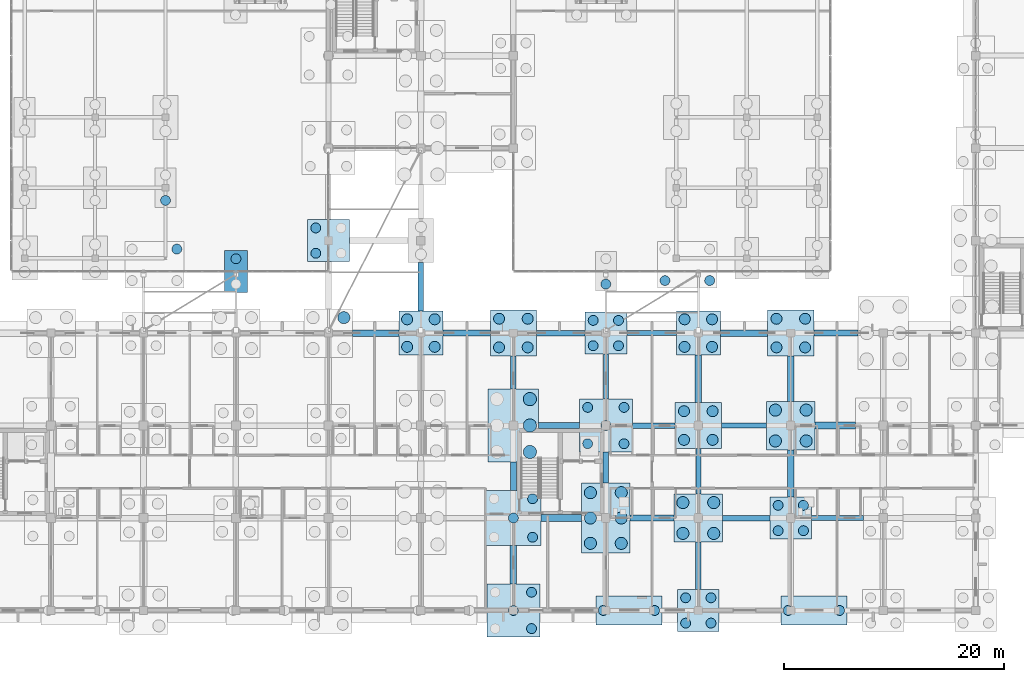
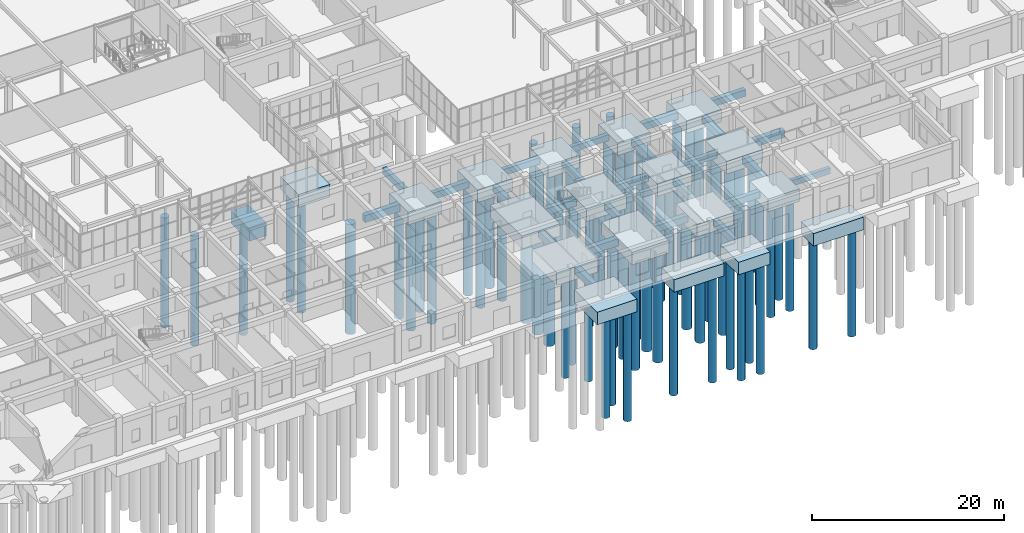
# One storey, part 5 of 192: 73 piles, 44 footings.
"""IFC4 building model written with IfcOpenShell, lengths in metres."""

from ifc_helpers import new_model, si_unit, direction, frame, origin, origin_2d, place, context, subcontext, project, spatial, rectangle, circle, extrude, material, layer, layer_set, material_profile, profile_set, type_object, element, save


model = new_model("IFC4")

# Units and contexts
model_context = context("Model", 3, precision=1e-05, world=origin(), true_north=direction((0.0, 1.0)))
body_context = subcontext(model_context, "Body", "Model", "MODEL_VIEW")
ifc_project = project(units=[si_unit("LENGTHUNIT", "METRE"), si_unit("AREAUNIT", "SQUARE_METRE"), si_unit("VOLUMEUNIT", "CUBIC_METRE"), si_unit("PLANEANGLEUNIT", "RADIAN"), si_unit("MASSUNIT", "GRAM", prefix="KILO")], contexts=[model_context])

# Site, building, storey
site_placement = place(None, origin())
site = spatial("IfcSite", under=ifc_project, at=site_placement, CompositionType="ELEMENT")
building_placement = place(site_placement, origin())
building = spatial("IfcBuilding", under=site, at=building_placement, Name="Trelvath General Hospital", CompositionType="ELEMENT")
storey_placement = place(building_placement, origin())
storey = spatial("IfcBuildingStorey", under=building, at=storey_placement, Name="L00", CompositionType="ELEMENT", Elevation=0.0)

# Piles
ifc_material_1 = material(Name="Concrete C35/45", Category="concrete")
ifc_material_profile_1 = material_profile(ifc_material_1, circle(Radius=0.5, at=origin_2d()), Name="PILE1000")
ifc_profile_set_1 = profile_set([ifc_material_profile_1], Name="Concrete C35/45")
pile_type_1 = type_object("IfcPileType", Name="BoredPile D1000", PredefinedType="BORED", material=ifc_profile_set_1)
for number, where, z_axis, x_axis, name in (
    (1, (82.75, 23.949951171875, -1.800048828125), (0.0, 0.0, -1.0), (1.0, 0.0, 0.0), "Bored Pile P-0596"),
    (2, (85.25, 23.949951171875, -1.800048828125), (0.0, 0.0, -1.0), (1.0, 0.0, 0.0), "Bored Pile P-0597"),
    (3, (82.75, 26.449951171875, -1.800048828125), (0.0, 0.0, -1.0), (1.0, 0.0, 0.0), "Bored Pile P-0598"),
    (4, (85.25, 26.449951171875, -1.800048828125), (0.0, 0.0, -1.0), (1.0, 0.0, 0.0), "Bored Pile P-0599"),
    (5, (91.10009765625, 23.89990234375, -1.800048828125), (0.0, 0.0, -1.0), (1.0, 0.0, 0.0), "Bored Pile P-0661"),
    (6, (93.699951171875, 23.89990234375, -1.800048828125), (0.0, 0.0, -1.0), (1.0, 0.0, 0.0), "Bored Pile P-0662"),
    (7, (91.10009765625, 26.5, -1.800048828125), (0.0, 0.0, -1.0), (1.0, 0.0, 0.0), "Bored Pile P-0663"),
    (8, (93.699951171875, 26.5, -1.800048828125), (0.0, 0.0, -1.0), (1.0, 0.0, 0.0), "Bored Pile P-0664"),
    (9, (107.89990234375, 15.5, -1.800048828125), (0.0, 0.0, -1.0), (1.0, 0.0, 0.0), "Bored Pile P-0770"),
    (10, (110.5, 15.5, -1.800048828125), (0.0, 0.0, -1.0), (1.0, 0.0, 0.0), "Bored Pile P-0771"),
    (11, (107.89990234375, 18.10009765625, -1.800048828125), (0.0, 0.0, -1.0), (1.0, 0.0, 0.0), "Bored Pile P-0772"),
    (12, (110.5, 18.10009765625, -1.800048828125), (0.0, 0.0, -1.0), (1.0, 0.0, 0.0), "Bored Pile P-0773"),
    (13, (107.949951171875, 23.949951171875, -1.800048828125), (0.0, 0.0, -1.0), (1.0, 0.0, 0.0), "Bored Pile P-0774"),
    (14, (110.449951171875, 23.949951171875, -1.800048828125), (0.0, 0.0, -1.0), (1.0, 0.0, 0.0), "Bored Pile P-0775"),
    (15, (107.949951171875, 26.449951171875, -1.800048828125), (0.0, 0.0, -1.0), (1.0, 0.0, 0.0), "Bored Pile P-0776"),
    (16, (110.449951171875, 26.449951171875, -1.800048828125), (0.0, 0.0, -1.0), (1.0, 0.0, 0.0), "Bored Pile P-0777"),
    (17, (116.300048828125, 23.89990234375, -1.800048828125), (0.0, 0.0, -1.0), (1.0, 0.0, 0.0), "Bored Pile P-0818"),
    (18, (118.89990234375, 23.89990234375, -1.800048828125), (0.0, 0.0, -1.0), (1.0, 0.0, 0.0), "Bored Pile P-0819"),
    (19, (116.300048828125, 26.5, -1.800048828125), (0.0, 0.0, -1.0), (1.0, 0.0, 0.0), "Bored Pile P-0820"),
    (20, (118.89990234375, 26.5, -1.800048828125), (0.0, 0.0, -1.0), (1.0, 0.0, 0.0), "Bored Pile P-0821"),
):
    element("IfcPile", number, at=place(storey_placement, frame(where, z_axis=z_axis, x_axis=x_axis)), inside=storey, type_object=pile_type_1, Name=name, PredefinedType="BORED", context=body_context, shape_type="SweptSolid", body=[
        extrude(circle(Radius=0.5, at=origin_2d()), origin(), (0.0, 0.0, 1.0), 14.0),
    ])
ifc_material_2 = material(Name="Concrete C35/45", Category="concrete")
ifc_material_profile_2 = material_profile(ifc_material_2, circle(Radius=0.550048828125, at=origin_2d()), Name="PILE1100")
ifc_profile_set_2 = profile_set([ifc_material_profile_2], Name="Concrete C35/45")
pile_type_2 = type_object("IfcPileType", Name="BoredPile D1100", PredefinedType="BORED", material=ifc_profile_set_2)
for number, where, z_axis, x_axis, name in (
    (21, (77.0, 26.60009765625, -1.800048828125), (0.0, 0.0, -1.0), (1.0, 0.0, 0.0), "Bored Pile P-0535"),
    (22, (99.39990234375, 6.10009765625, -1.800048828125), (0.0, 0.0, -1.0), (1.0, 0.0, 0.0), "Bored Pile P-0707"),
    (23, (102.199951171875, 6.10009765625, -1.800048828125), (0.0, 0.0, -1.0), (1.0, 0.0, 0.0), "Bored Pile P-0708"),
    (24, (99.39990234375, 8.39990234375, -1.800048828125), (0.0, 0.0, -1.0), (1.0, 0.0, 0.0), "Bored Pile P-0709"),
    (25, (102.199951171875, 8.39990234375, -1.800048828125), (0.0, 0.0, -1.0), (1.0, 0.0, 0.0), "Bored Pile P-0710"),
    (26, (99.39990234375, 10.699951171875, -1.800048828125), (0.0, 0.0, -1.0), (1.0, 0.0, 0.0), "Bored Pile P-0711"),
    (27, (102.199951171875, 10.699951171875, -1.800048828125), (0.0, 0.0, -1.0), (1.0, 0.0, 0.0), "Bored Pile P-0712"),
    (28, (107.800048828125, 7.0, -1.800048828125), (0.0, 0.0, -1.0), (1.0, 0.0, 0.0), "Bored Pile P-0766"),
    (29, (110.60009765625, 7.0, -1.800048828125), (0.0, 0.0, -1.0), (1.0, 0.0, 0.0), "Bored Pile P-0767"),
    (30, (107.800048828125, 9.800048828125, -1.800048828125), (0.0, 0.0, -1.0), (1.0, 0.0, 0.0), "Bored Pile P-0768"),
    (31, (110.60009765625, 9.800048828125, -1.800048828125), (0.0, 0.0, -1.0), (1.0, 0.0, 0.0), "Bored Pile P-0769"),
    (32, (116.199951171875, 15.39990234375, -1.800048828125), (0.0, 0.0, -1.0), (1.0, 0.0, 0.0), "Bored Pile P-0814"),
    (33, (119.0, 15.39990234375, -1.800048828125), (0.0, 0.0, -1.0), (1.0, 0.0, 0.0), "Bored Pile P-0815"),
    (34, (116.199951171875, 18.199951171875, -1.800048828125), (0.0, 0.0, -1.0), (1.0, 0.0, 0.0), "Bored Pile P-0816"),
    (35, (119.0, 18.199951171875, -1.800048828125), (0.0, 0.0, -1.0), (1.0, 0.0, 0.0), "Bored Pile P-0817"),
):
    element("IfcPile", number, at=place(storey_placement, frame(where, z_axis=z_axis, x_axis=x_axis)), inside=storey, type_object=pile_type_2, Name=name, PredefinedType="BORED", context=body_context, shape_type="SweptSolid", body=[
        extrude(circle(Radius=0.550048828125, at=origin_2d()), origin(), (0.0, 0.0, 1.0), 14.0),
    ])
ifc_material_3 = material(Name="Concrete C35/45", Category="concrete")
ifc_material_profile_3 = material_profile(ifc_material_3, circle(Radius=0.60009765625, at=origin_2d()), Name="PILE1200")
ifc_profile_set_3 = profile_set([ifc_material_profile_3], Name="Concrete C35/45")
pile_type_3 = type_object("IfcPileType", Name="BoredPile D1200", PredefinedType="BORED", material=ifc_profile_set_3)
for number, where, z_axis, x_axis, name in (
    (36, (93.89990234375, 14.39990234375, -1.800048828125), (0.0, 0.0, -1.0), (1.0, 0.0, 0.0), "Bored Pile P-0656"),
    (37, (93.89990234375, 16.800048828125, -1.800048828125), (0.0, 0.0, -1.0), (1.0, 0.0, 0.0), "Bored Pile P-0658"),
    (38, (93.89990234375, 19.199951171875, -1.800048828125), (0.0, 0.0, -1.0), (1.0, 0.0, 0.0), "Bored Pile P-0660"),
):
    element("IfcPile", number, at=place(storey_placement, frame(where, z_axis=z_axis, x_axis=x_axis)), inside=storey, type_object=pile_type_3, Name=name, PredefinedType="BORED", context=body_context, shape_type="SweptSolid", body=[
        extrude(circle(Radius=0.60009765625, at=origin_2d()), origin(), (0.0, 0.0, 1.0), 14.0),
    ])
ifc_material_4 = material(Name="Concrete C35/45", Category="concrete")
ifc_material_profile_4 = material_profile(ifc_material_4, circle(Radius=0.449951171875, at=origin_2d()), Name="PILE900")
ifc_profile_set_4 = profile_set([ifc_material_profile_4], Name="Concrete C35/45")
pile_type_4 = type_object("IfcPileType", Name="BoredPile D900", PredefinedType="BORED", material=ifc_profile_set_4)
for number, where, z_axis, x_axis, name in (
    (39, (61.830078125, 32.830078125, -1.800048828125), (0.0, 0.0, -1.0), (1.0, 0.0, 0.0), "Bored Pile P-0447"),
    (40, (60.800048828125, 37.25, -1.800048828125), (0.0, 0.0, -1.0), (1.0, 0.0, 0.0), "Bored Pile P-0468"),
    (41, (67.199951171875, 31.949951171875, -1.800048828125), (0.0, 0.0, -1.0), (1.0, 0.0, 0.0), "Bored Pile P-0497"),
    (42, (74.449951171875, 32.449951171875, -1.800048828125), (0.0, 0.0, -1.0), (1.0, 0.0, 0.0), "Bored Pile P-0536"),
    (43, (74.449951171875, 34.75, -1.800048828125), (0.0, 0.0, -1.0), (1.0, 0.0, 0.0), "Bored Pile P-0538"),
    (44, (94.050048828125, -1.64990234375, -1.800048828125), (0.0, 0.0, -1.0), (1.0, 0.0, 0.0), "Bored Pile P-0646"),
    (45, (92.39990234375, 0.0, -1.800048828125), (0.0, 0.0, -1.0), (1.0, 0.0, 0.0), "Bored Pile P-0647"),
    (46, (94.050048828125, 1.64990234375, -1.800048828125), (0.0, 0.0, -1.0), (1.0, 0.0, 0.0), "Bored Pile P-0649"),
    (47, (94.14990234375, 6.64990234375, -1.800048828125), (0.0, 0.0, -1.0), (1.0, 0.0, 0.0), "Bored Pile P-0651"),
    (48, (92.39990234375, 8.39990234375, -1.800048828125), (0.0, 0.0, -1.0), (1.0, 0.0, 0.0), "Bored Pile P-0652"),
    (49, (94.14990234375, 10.14990234375, -1.800048828125), (0.0, 0.0, -1.0), (1.0, 0.0, 0.0), "Bored Pile P-0654"),
    (50, (100.570068359375, 0.0, -1.800048828125), (0.0, 0.0, -1.0), (1.0, 0.0, 0.0), "Bored Pile P-0705"),
    (51, (105.22998046875, 0.0, -1.800048828125), (0.0, 0.0, -1.0), (1.0, 0.0, 0.0), "Bored Pile P-0706"),
    (52, (99.14990234375, 15.14990234375, -1.800048828125), (0.0, 0.0, -1.0), (1.0, 0.0, 0.0), "Bored Pile P-0713"),
    (53, (102.449951171875, 15.14990234375, -1.800048828125), (0.0, 0.0, -1.0), (1.0, 0.0, 0.0), "Bored Pile P-0714"),
    (54, (100.800048828125, 16.800048828125, -1.800048828125), (0.0, 0.0, -1.0), (1.0, 0.0, 0.0), "Bored Pile P-0715"),
    (55, (99.14990234375, 18.449951171875, -1.800048828125), (0.0, 0.0, -1.0), (1.0, 0.0, 0.0), "Bored Pile P-0716"),
    (56, (102.449951171875, 18.449951171875, -1.800048828125), (0.0, 0.0, -1.0), (1.0, 0.0, 0.0), "Bored Pile P-0717"),
    (57, (99.64990234375, 24.050048828125, -1.800048828125), (0.0, 0.0, -1.0), (1.0, 0.0, 0.0), "Bored Pile P-0718"),
    (58, (101.949951171875, 24.050048828125, -1.800048828125), (0.0, 0.0, -1.0), (1.0, 0.0, 0.0), "Bored Pile P-0719"),
    (59, (99.64990234375, 26.35009765625, -1.800048828125), (0.0, 0.0, -1.0), (1.0, 0.0, 0.0), "Bored Pile P-0720"),
    (60, (101.949951171875, 26.35009765625, -1.800048828125), (0.0, 0.0, -1.0), (1.0, 0.0, 0.0), "Bored Pile P-0721"),
    (61, (100.800048828125, 29.64990234375, -1.800048828125), (0.0, 0.0, -1.0), (1.0, 0.0, 0.0), "Bored Pile P-0722"),
    (62, (106.169921875, 29.969970703125, -1.800048828125), (0.0, 0.0, -1.0), (1.0, 0.0, 0.0), "Bored Pile P-0744"),
    (63, (110.22998046875, 29.969970703125, -1.800048828125), (0.0, 0.0, -1.0), (1.0, 0.0, 0.0), "Bored Pile P-0746"),
    (64, (108.050048828125, -1.14990234375, -1.800048828125), (0.0, 0.0, -1.0), (1.0, 0.0, 0.0), "Bored Pile P-0762"),
    (65, (110.35009765625, -1.14990234375, -1.800048828125), (0.0, 0.0, -1.0), (1.0, 0.0, 0.0), "Bored Pile P-0763"),
    (66, (108.050048828125, 1.14990234375, -1.800048828125), (0.0, 0.0, -1.0), (1.0, 0.0, 0.0), "Bored Pile P-0764"),
    (67, (110.35009765625, 1.14990234375, -1.800048828125), (0.0, 0.0, -1.0), (1.0, 0.0, 0.0), "Bored Pile P-0765"),
    (68, (117.3701171875, 0.0, -1.800048828125), (0.0, 0.0, -1.0), (1.0, 0.0, 0.0), "Bored Pile P-0808"),
    (69, (122.030029296875, 0.0, -1.800048828125), (0.0, 0.0, -1.0), (1.0, 0.0, 0.0), "Bored Pile P-0809"),
    (70, (116.449951171875, 7.25, -1.800048828125), (0.0, 0.0, -1.0), (1.0, 0.0, 0.0), "Bored Pile P-0810"),
    (71, (118.75, 7.25, -1.800048828125), (0.0, 0.0, -1.0), (1.0, 0.0, 0.0), "Bored Pile P-0811"),
    (72, (116.449951171875, 9.550048828125, -1.800048828125), (0.0, 0.0, -1.0), (1.0, 0.0, 0.0), "Bored Pile P-0812"),
    (73, (118.75, 9.550048828125, -1.800048828125), (0.0, 0.0, -1.0), (1.0, 0.0, 0.0), "Bored Pile P-0813"),
):
    element("IfcPile", number, at=place(storey_placement, frame(where, z_axis=z_axis, x_axis=x_axis)), inside=storey, type_object=pile_type_4, Name=name, PredefinedType="BORED", context=body_context, shape_type="SweptSolid", body=[
        extrude(circle(Radius=0.449951171875, at=origin_2d()), origin(), (0.0, 0.0, 1.0), 14.0),
    ])

# Footings
ifc_material_5 = material(Name="Concrete C35/45", Category="concrete")
ifc_layer_1 = layer(ifc_material_5, 1.60009765625)
ifc_layer_set_1 = layer_set([ifc_layer_1], Name="Concrete C35/45")
footing_type_1 = type_object("IfcFootingType", Name="PileCap 2P 210x380", PredefinedType="PILE_CAP", material=ifc_layer_set_1)
footing_1_placement = place(storey_placement, frame((67.199951171875, 30.800048828125, -1.900146484375), z_axis=(0.0, 0.0, 1.0), x_axis=(1.0, 0.0, 0.0)))
element("IfcFooting", 74, at=footing_1_placement, inside=storey, type_object=footing_type_1, Name="Pile Cap PC-134", PredefinedType="PILE_CAP", context=body_context, shape_type="SweptSolid", body=[
    extrude(rectangle(XDim=2.10009765625, YDim=3.800048828125, at=origin_2d()), origin(), (0.0, 0.0, 1.0), 1.60009765625),
])
ifc_material_6 = material(Name="Concrete C35/45", Category="concrete")
ifc_layer_2 = layer(ifc_material_6, 1.60009765625)
ifc_layer_set_2 = layer_set([ifc_layer_2], Name="Concrete C35/45")
footing_type_2 = type_object("IfcFootingType", Name="PileCap 4P 380x380", PredefinedType="PILE_CAP", material=ifc_layer_set_2)
for number, where, z_axis, x_axis, name in (
    (75, (75.60009765625, 33.60009765625, -1.900146484375), (0.0, 0.0, 1.0), (1.0, 0.0, 0.0), "Pile Cap PC-146"),
    (76, (100.800048828125, 25.199951171875, -1.900146484375), (0.0, 0.0, 1.0), (1.0, 0.0, 0.0), "Pile Cap PC-188"),
    (77, (109.199951171875, 0.0, -1.900146484375), (0.0, 0.0, 1.0), (1.0, 0.0, 0.0), "Pile Cap PC-204"),
    (78, (117.60009765625, 8.39990234375, -1.900146484375), (0.0, 0.0, 1.0), (1.0, 0.0, 0.0), "Pile Cap PC-220"),
):
    element("IfcFooting", number, at=place(storey_placement, frame(where, z_axis=z_axis, x_axis=x_axis)), inside=storey, type_object=footing_type_2, Name=name, PredefinedType="PILE_CAP", context=body_context, shape_type="SweptSolid", body=[
        extrude(rectangle(XDim=3.800048828125, YDim=3.800048828125, at=origin_2d()), origin(), (0.0, 0.0, 1.0), 1.60009765625),
    ])
ifc_material_7 = material(Name="Concrete C35/45", Category="concrete")
ifc_layer_3 = layer(ifc_material_7, 1.60009765625)
ifc_layer_set_3 = layer_set([ifc_layer_3], Name="Concrete C35/45")
footing_type_3 = type_object("IfcFootingType", Name="PileCap 4P 400x400", PredefinedType="PILE_CAP", material=ifc_layer_set_3)
for number, where, z_axis, x_axis, name in (
    (79, (84.0, 25.199951171875, -1.900146484375), (0.0, 0.0, 1.0), (1.0, 0.0, 0.0), "Pile Cap PC-159"),
    (80, (109.199951171875, 25.199951171875, -1.900146484375), (0.0, 0.0, 1.0), (1.0, 0.0, 0.0), "Pile Cap PC-207"),
):
    element("IfcFooting", number, at=place(storey_placement, frame(where, z_axis=z_axis, x_axis=x_axis)), inside=storey, type_object=footing_type_3, Name=name, PredefinedType="PILE_CAP", context=body_context, shape_type="SweptSolid", body=[
        extrude(rectangle(XDim=4.0, YDim=4.0, at=origin_2d()), origin(), (0.0, 0.0, 1.0), 1.60009765625),
    ])
ifc_material_8 = material(Name="Concrete C35/45", Category="concrete")
ifc_layer_4 = layer(ifc_material_8, 1.60009765625)
ifc_layer_set_4 = layer_set([ifc_layer_4], Name="Concrete C35/45")
footing_type_4 = type_object("IfcFootingType", Name="PileCap 4P 420x420", PredefinedType="PILE_CAP", material=ifc_layer_set_4)
for number, where, z_axis, x_axis, name in (
    (81, (92.39990234375, 25.199951171875, -1.900146484375), (0.0, 0.0, 1.0), (1.0, 0.0, 0.0), "Pile Cap PC-174"),
    (82, (109.199951171875, 16.800048828125, -1.900146484375), (0.0, 0.0, 1.0), (1.0, 0.0, 0.0), "Pile Cap PC-206"),
    (83, (117.60009765625, 25.199951171875, -1.900146484375), (0.0, 0.0, 1.0), (1.0, 0.0, 0.0), "Pile Cap PC-222"),
):
    element("IfcFooting", number, at=place(storey_placement, frame(where, z_axis=z_axis, x_axis=x_axis)), inside=storey, type_object=footing_type_4, Name=name, PredefinedType="PILE_CAP", context=body_context, shape_type="SweptSolid", body=[
        extrude(rectangle(XDim=4.199951171875, YDim=4.199951171875, at=origin_2d()), origin(), (0.0, 0.0, 1.0), 1.60009765625),
    ])
ifc_material_9 = material(Name="Concrete C35/45", Category="concrete")
ifc_layer_5 = layer(ifc_material_9, 1.60009765625)
ifc_layer_set_5 = layer_set([ifc_layer_5], Name="Concrete C35/45")
footing_type_5 = type_object("IfcFootingType", Name="PileCap 4P 440x440", PredefinedType="PILE_CAP", material=ifc_layer_set_5)
for number, where, z_axis, x_axis, name in (
    (84, (109.199951171875, 8.39990234375, -1.900146484375), (0.0, 0.0, 1.0), (1.0, 0.0, 0.0), "Pile Cap PC-205"),
    (85, (117.60009765625, 16.800048828125, -1.900146484375), (0.0, 0.0, 1.0), (1.0, 0.0, 0.0), "Pile Cap PC-221"),
):
    element("IfcFooting", number, at=place(storey_placement, frame(where, z_axis=z_axis, x_axis=x_axis)), inside=storey, type_object=footing_type_5, Name=name, PredefinedType="PILE_CAP", context=body_context, shape_type="SweptSolid", body=[
        extrude(rectangle(XDim=4.39990234375, YDim=4.39990234375, at=origin_2d()), origin(), (0.0, 0.0, 1.0), 1.60009765625),
    ])
ifc_material_10 = material(Name="Concrete C35/45", Category="concrete")
ifc_layer_6 = layer(ifc_material_10, 1.60009765625)
ifc_layer_set_6 = layer_set([ifc_layer_6], Name="Concrete C35/45")
footing_type_6 = type_object("IfcFootingType", Name="PileCap 5P 480x480", PredefinedType="PILE_CAP", material=ifc_layer_set_6)
for number, where, z_axis, x_axis, name in (
    (86, (92.39990234375, 0.0, -1.900146484375), (0.0, 0.0, 1.0), (1.0, 0.0, 0.0), "Pile Cap PC-171"),
    (87, (100.800048828125, 16.800048828125, -1.900146484375), (0.0, 0.0, 1.0), (1.0, 0.0, 0.0), "Pile Cap PC-187"),
):
    element("IfcFooting", number, at=place(storey_placement, frame(where, z_axis=z_axis, x_axis=x_axis)), inside=storey, type_object=footing_type_6, Name=name, PredefinedType="PILE_CAP", context=body_context, shape_type="SweptSolid", body=[
        extrude(rectangle(XDim=4.800048828125, YDim=4.800048828125, at=origin_2d()), origin(), (0.0, 0.0, 1.0), 1.60009765625),
    ])
ifc_material_11 = material(Name="Concrete C35/45", Category="concrete")
ifc_layer_7 = layer(ifc_material_11, 1.60009765625)
ifc_layer_set_7 = layer_set([ifc_layer_7], Name="Concrete C35/45")
footing_type_7 = type_object("IfcFootingType", Name="PileCap 5P 500x500", PredefinedType="PILE_CAP", material=ifc_layer_set_7)
footing_2_placement = place(storey_placement, frame((92.39990234375, 8.39990234375, -1.900146484375), z_axis=(0.0, 0.0, 1.0), x_axis=(1.0, 0.0, 0.0)))
element("IfcFooting", 88, at=footing_2_placement, inside=storey, type_object=footing_type_7, Name="Pile Cap PC-172", PredefinedType="PILE_CAP", context=body_context, shape_type="SweptSolid", body=[
    extrude(rectangle(XDim=5.0, YDim=5.0, at=origin_2d()), origin(), (0.0, 0.0, 1.0), 1.60009765625),
])
ifc_material_12 = material(Name="Concrete C35/45", Category="concrete")
ifc_layer_8 = layer(ifc_material_12, 1.60009765625)
ifc_layer_set_8 = layer_set([ifc_layer_8], Name="Concrete C35/45")
footing_type_8 = type_object("IfcFootingType", Name="PileCap 6P 440x640", PredefinedType="PILE_CAP", material=ifc_layer_set_8)
footing_3_placement = place(storey_placement, frame((100.800048828125, 8.39990234375, -1.900146484375), z_axis=(0.0, 0.0, 1.0), x_axis=(1.0, 0.0, 0.0)))
element("IfcFooting", 89, at=footing_3_placement, inside=storey, type_object=footing_type_8, Name="Pile Cap PC-186", PredefinedType="PILE_CAP", context=body_context, shape_type="SweptSolid", body=[
    extrude(rectangle(XDim=4.39990234375, YDim=6.39990234375, at=origin_2d()), origin(), (0.0, 0.0, 1.0), 1.60009765625),
])
ifc_material_13 = material(Name="Concrete C35/45", Category="concrete")
ifc_layer_9 = layer(ifc_material_13, 1.60009765625)
ifc_layer_set_9 = layer_set([ifc_layer_9], Name="Concrete C35/45")
footing_type_9 = type_object("IfcFootingType", Name="PileCap 6P 460x660", PredefinedType="PILE_CAP", material=ifc_layer_set_9)
footing_4_placement = place(storey_placement, frame((92.39990234375, 16.800048828125, -1.900146484375), z_axis=(0.0, 0.0, 1.0), x_axis=(1.0, 0.0, 0.0)))
element("IfcFooting", 90, at=footing_4_placement, inside=storey, type_object=footing_type_9, Name="Pile Cap PC-173", PredefinedType="PILE_CAP", context=body_context, shape_type="SweptSolid", body=[
    extrude(rectangle(XDim=4.60009765625, YDim=6.60009765625, at=origin_2d()), origin(), (0.0, 0.0, 1.0), 1.60009765625),
])
ifc_material_14 = material(Name="Concrete C35/45", Category="concrete")
ifc_layer_10 = layer(ifc_material_14, 1.60009765625)
ifc_layer_set_10 = layer_set([ifc_layer_10], Name="Concrete C35/45")
footing_type_10 = type_object("IfcFootingType", Name="PileCap Comb 600x260", PredefinedType="PILE_CAP", material=ifc_layer_set_10)
for number, where, z_axis, x_axis, name in (
    (91, (102.89990234375, 0.0, -1.900146484375), (0.0, 0.0, 1.0), (1.0, 0.0, 0.0), "Pile Cap PC-185"),
    (92, (119.699951171875, 0.0, -1.900146484375), (0.0, 0.0, 1.0), (1.0, 0.0, 0.0), "Pile Cap PC-219"),
):
    element("IfcFooting", number, at=place(storey_placement, frame(where, z_axis=z_axis, x_axis=x_axis)), inside=storey, type_object=footing_type_10, Name=name, PredefinedType="PILE_CAP", context=body_context, shape_type="SweptSolid", body=[
        extrude(rectangle(XDim=6.0, YDim=2.60009765625, at=origin_2d()), origin(), (0.0, 0.0, 1.0), 1.60009765625),
    ])
ifc_material_15 = material(Name="Concrete C35/45", Category="concrete")
ifc_layer_11 = layer(ifc_material_15, 0.75)
ifc_layer_set_11 = layer_set([ifc_layer_11], Name="Concrete C35/45")
footing_type_11 = type_object("IfcFootingType", Name="TieBeam 450x750", PredefinedType="FOOTING_BEAM", material=ifc_layer_set_11)
footing_5_placement = place(storey_placement, frame((100.800048828125, 21.25, -1.050048828125), z_axis=(0.0, 0.0, 1.0), x_axis=(1.0, 0.0, 0.0)))
element("IfcFooting", 93, at=footing_5_placement, inside=storey, type_object=footing_type_11, Name="Foundation Tie Beam TB-235", PredefinedType="FOOTING_BEAM", context=body_context, shape_type="SweptSolid", body=[
    extrude(rectangle(XDim=0.449951171875, YDim=4.10009765625, at=origin_2d()), origin(), (0.0, 0.0, 1.0), 0.75),
])
footing_6_placement = place(storey_placement, frame((104.949951171875, 25.199951171875, -1.050048828125), z_axis=(0.0, 0.0, 1.0), x_axis=(1.0, 0.0, 0.0)))
element("IfcFooting", 94, at=footing_6_placement, inside=storey, type_object=footing_type_11, Name="Foundation Tie Beam TB-236", PredefinedType="FOOTING_BEAM", context=body_context, shape_type="SweptSolid", body=[
    extrude(rectangle(XDim=4.5, YDim=0.449951171875, at=origin_2d()), origin(), (0.0, 0.0, 1.0), 0.75),
])
footing_7_placement = place(storey_placement, frame((109.199951171875, 12.64990234375, -1.050048828125), z_axis=(0.0, 0.0, 1.0), x_axis=(1.0, 0.0, 0.0)))
element("IfcFooting", 95, at=footing_7_placement, inside=storey, type_object=footing_type_11, Name="Foundation Tie Beam TB-244", PredefinedType="FOOTING_BEAM", context=body_context, shape_type="SweptSolid", body=[
    extrude(rectangle(XDim=0.449951171875, YDim=4.10009765625, at=origin_2d()), origin(), (0.0, 0.0, 1.0), 0.75),
])
footing_8_placement = place(storey_placement, frame((113.35009765625, 16.800048828125, -1.050048828125), z_axis=(0.0, 0.0, 1.0), x_axis=(1.0, 0.0, 0.0)))
element("IfcFooting", 96, at=footing_8_placement, inside=storey, type_object=footing_type_11, Name="Foundation Tie Beam TB-245", PredefinedType="FOOTING_BEAM", context=body_context, shape_type="SweptSolid", body=[
    extrude(rectangle(XDim=4.10009765625, YDim=0.449951171875, at=origin_2d()), origin(), (0.0, 0.0, 1.0), 0.75),
])
footing_9_placement = place(storey_placement, frame((121.85009765625, 8.39990234375, -1.050048828125), z_axis=(0.0, 0.0, 1.0), x_axis=(1.0, 0.0, 0.0)))
element("IfcFooting", 97, at=footing_9_placement, inside=storey, type_object=footing_type_11, Name="Foundation Tie Beam TB-254", PredefinedType="FOOTING_BEAM", context=body_context, shape_type="SweptSolid", body=[
    extrude(rectangle(XDim=4.699951171875, YDim=0.449951171875, at=origin_2d()), origin(), (0.0, 0.0, 1.0), 0.75),
])
ifc_material_16 = material(Name="Concrete C35/45", Category="concrete")
ifc_layer_12 = layer(ifc_material_16, 0.800048828125)
ifc_layer_set_12 = layer_set([ifc_layer_12], Name="Concrete C35/45")
footing_type_12 = type_object("IfcFootingType", Name="TieBeam 500x800", PredefinedType="FOOTING_BEAM", material=ifc_layer_set_12)
footing_10_placement = place(storey_placement, frame((84.0, 29.39990234375, -1.10009765625), z_axis=(0.0, 0.0, 1.0), x_axis=(1.0, 0.0, 0.0)))
element("IfcFooting", 98, at=footing_10_placement, inside=storey, type_object=footing_type_12, Name="Foundation Tie Beam TB-200", PredefinedType="FOOTING_BEAM", context=body_context, shape_type="SweptSolid", body=[
    extrude(rectangle(XDim=0.5, YDim=4.39990234375, at=origin_2d()), origin(), (0.0, 0.0, 1.0), 0.800048828125),
])
footing_11_placement = place(storey_placement, frame((92.39990234375, 21.60009765625, -1.10009765625), z_axis=(0.0, 0.0, 1.0), x_axis=(1.0, 0.0, 0.0)))
element("IfcFooting", 99, at=footing_11_placement, inside=storey, type_object=footing_type_12, Name="Foundation Tie Beam TB-221", PredefinedType="FOOTING_BEAM", context=body_context, shape_type="SweptSolid", body=[
    extrude(rectangle(XDim=0.5, YDim=3.0, at=origin_2d()), origin(), (0.0, 0.0, 1.0), 0.800048828125),
])
footing_12_placement = place(storey_placement, frame((96.699951171875, 25.199951171875, -1.10009765625), z_axis=(0.0, 0.0, 1.0), x_axis=(1.0, 0.0, 0.0)))
element("IfcFooting", 100, at=footing_12_placement, inside=storey, type_object=footing_type_12, Name="Foundation Tie Beam TB-222", PredefinedType="FOOTING_BEAM", context=body_context, shape_type="SweptSolid", body=[
    extrude(rectangle(XDim=4.39990234375, YDim=0.5, at=origin_2d()), origin(), (0.0, 0.0, 1.0), 0.800048828125),
])
footing_13_placement = place(storey_placement, frame((100.800048828125, 13.0, -1.10009765625), z_axis=(0.0, 0.0, 1.0), x_axis=(1.0, 0.0, 0.0)))
element("IfcFooting", 101, at=footing_13_placement, inside=storey, type_object=footing_type_12, Name="Foundation Tie Beam TB-233", PredefinedType="FOOTING_BEAM", context=body_context, shape_type="SweptSolid", body=[
    extrude(rectangle(XDim=0.5, YDim=2.800048828125, at=origin_2d()), origin(), (0.0, 0.0, 1.0), 0.800048828125),
])
footing_14_placement = place(storey_placement, frame((105.14990234375, 16.800048828125, -1.10009765625), z_axis=(0.0, 0.0, 1.0), x_axis=(1.0, 0.0, 0.0)))
element("IfcFooting", 102, at=footing_14_placement, inside=storey, type_object=footing_type_12, Name="Foundation Tie Beam TB-234", PredefinedType="FOOTING_BEAM", context=body_context, shape_type="SweptSolid", body=[
    extrude(rectangle(XDim=3.89990234375, YDim=0.5, at=origin_2d()), origin(), (0.0, 0.0, 1.0), 0.800048828125),
])
footing_15_placement = place(storey_placement, frame((109.199951171875, 4.050048828125, -1.10009765625), z_axis=(0.0, 0.0, 1.0), x_axis=(1.0, 0.0, 0.0)))
element("IfcFooting", 103, at=footing_15_placement, inside=storey, type_object=footing_type_12, Name="Foundation Tie Beam TB-242", PredefinedType="FOOTING_BEAM", context=body_context, shape_type="SweptSolid", body=[
    extrude(rectangle(XDim=0.5, YDim=4.300048828125, at=origin_2d()), origin(), (0.0, 0.0, 1.0), 0.800048828125),
])
footing_16_placement = place(storey_placement, frame((113.550048828125, 8.39990234375, -1.10009765625), z_axis=(0.0, 0.0, 1.0), x_axis=(1.0, 0.0, 0.0)))
element("IfcFooting", 104, at=footing_16_placement, inside=storey, type_object=footing_type_12, Name="Foundation Tie Beam TB-243", PredefinedType="FOOTING_BEAM", context=body_context, shape_type="SweptSolid", body=[
    extrude(rectangle(XDim=4.300048828125, YDim=0.5, at=origin_2d()), origin(), (0.0, 0.0, 1.0), 0.800048828125),
])
ifc_material_17 = material(Name="Concrete C35/45", Category="concrete")
ifc_layer_13 = layer(ifc_material_17, 0.85009765625)
ifc_layer_set_13 = layer_set([ifc_layer_13], Name="Concrete C35/45")
footing_type_13 = type_object("IfcFootingType", Name="TieBeam 550x850", PredefinedType="FOOTING_BEAM", material=ifc_layer_set_13)
footing_17_placement = place(storey_placement, frame((88.14990234375, 25.199951171875, -1.150146484375), z_axis=(0.0, 0.0, 1.0), x_axis=(1.0, 0.0, 0.0)))
element("IfcFooting", 105, at=footing_17_placement, inside=storey, type_object=footing_type_13, Name="Foundation Tie Beam TB-199", PredefinedType="FOOTING_BEAM", context=body_context, shape_type="SweptSolid", body=[
    extrude(rectangle(XDim=4.300048828125, YDim=0.550048828125, at=origin_2d()), origin(), (0.0, 0.0, 1.0), 0.85009765625),
])
footing_18_placement = place(storey_placement, frame((92.39990234375, 12.199951171875, -1.150146484375), z_axis=(0.0, 0.0, 1.0), x_axis=(1.0, 0.0, 0.0)))
element("IfcFooting", 106, at=footing_18_placement, inside=storey, type_object=footing_type_13, Name="Foundation Tie Beam TB-219", PredefinedType="FOOTING_BEAM", context=body_context, shape_type="SweptSolid", body=[
    extrude(rectangle(XDim=0.550048828125, YDim=2.60009765625, at=origin_2d()), origin(), (0.0, 0.0, 1.0), 0.85009765625),
])
footing_19_placement = place(storey_placement, frame((96.550048828125, 16.800048828125, -1.150146484375), z_axis=(0.0, 0.0, 1.0), x_axis=(1.0, 0.0, 0.0)))
element("IfcFooting", 107, at=footing_19_placement, inside=storey, type_object=footing_type_13, Name="Foundation Tie Beam TB-220", PredefinedType="FOOTING_BEAM", context=body_context, shape_type="SweptSolid", body=[
    extrude(rectangle(XDim=3.699951171875, YDim=0.550048828125, at=origin_2d()), origin(), (0.0, 0.0, 1.0), 0.85009765625),
])
footing_20_placement = place(storey_placement, frame((105.0, 8.39990234375, -1.150146484375), z_axis=(0.0, 0.0, 1.0), x_axis=(1.0, 0.0, 0.0)))
element("IfcFooting", 108, at=footing_20_placement, inside=storey, type_object=footing_type_13, Name="Foundation Tie Beam TB-232", PredefinedType="FOOTING_BEAM", context=body_context, shape_type="SweptSolid", body=[
    extrude(rectangle(XDim=4.0, YDim=0.550048828125, at=origin_2d()), origin(), (0.0, 0.0, 1.0), 0.85009765625),
])
footing_21_placement = place(storey_placement, frame((117.60009765625, 21.050048828125, -1.150146484375), z_axis=(0.0, 0.0, 1.0), x_axis=(1.0, 0.0, 0.0)))
element("IfcFooting", 109, at=footing_21_placement, inside=storey, type_object=footing_type_13, Name="Foundation Tie Beam TB-257", PredefinedType="FOOTING_BEAM", context=body_context, shape_type="SweptSolid", body=[
    extrude(rectangle(XDim=0.550048828125, YDim=4.10009765625, at=origin_2d()), origin(), (0.0, 0.0, 1.0), 0.85009765625),
])
footing_22_placement = place(storey_placement, frame((121.699951171875, 25.199951171875, -1.150146484375), z_axis=(0.0, 0.0, 1.0), x_axis=(1.0, 0.0, 0.0)))
element("IfcFooting", 110, at=footing_22_placement, inside=storey, type_object=footing_type_13, Name="Foundation Tie Beam TB-258", PredefinedType="FOOTING_BEAM", context=body_context, shape_type="SweptSolid", body=[
    extrude(rectangle(XDim=4.0, YDim=0.550048828125, at=origin_2d()), origin(), (0.0, 0.0, 1.0), 0.85009765625),
])
ifc_material_18 = material(Name="Concrete C35/45", Category="concrete")
ifc_layer_14 = layer(ifc_material_18, 0.89990234375)
ifc_layer_set_14 = layer_set([ifc_layer_14], Name="Concrete C35/45")
footing_type_14 = type_object("IfcFootingType", Name="TieBeam 600x900", PredefinedType="FOOTING_BEAM", material=ifc_layer_set_14)
footing_23_placement = place(storey_placement, frame((79.89990234375, 25.199951171875, -1.199951171875), z_axis=(0.0, 0.0, 1.0), x_axis=(1.0, 0.0, 0.0)))
element("IfcFooting", 111, at=footing_23_placement, inside=storey, type_object=footing_type_14, Name="Foundation Tie Beam TB-176", PredefinedType="FOOTING_BEAM", context=body_context, shape_type="SweptSolid", body=[
    extrude(rectangle(XDim=4.199951171875, YDim=0.60009765625, at=origin_2d()), origin(), (0.0, 0.0, 1.0), 0.89990234375),
])
footing_24_placement = place(storey_placement, frame((92.39990234375, 4.14990234375, -1.199951171875), z_axis=(0.0, 0.0, 1.0), x_axis=(1.0, 0.0, 0.0)))
element("IfcFooting", 112, at=footing_24_placement, inside=storey, type_object=footing_type_14, Name="Foundation Tie Beam TB-217", PredefinedType="FOOTING_BEAM", context=body_context, shape_type="SweptSolid", body=[
    extrude(rectangle(XDim=0.60009765625, YDim=3.5, at=origin_2d()), origin(), (0.0, 0.0, 1.0), 0.89990234375),
])
footing_25_placement = place(storey_placement, frame((96.75, 8.39990234375, -1.199951171875), z_axis=(0.0, 0.0, 1.0), x_axis=(1.0, 0.0, 0.0)))
element("IfcFooting", 113, at=footing_25_placement, inside=storey, type_object=footing_type_14, Name="Foundation Tie Beam TB-218", PredefinedType="FOOTING_BEAM", context=body_context, shape_type="SweptSolid", body=[
    extrude(rectangle(XDim=3.699951171875, YDim=0.60009765625, at=origin_2d()), origin(), (0.0, 0.0, 1.0), 0.89990234375),
])
footing_26_placement = place(storey_placement, frame((109.199951171875, 21.050048828125, -1.199951171875), z_axis=(0.0, 0.0, 1.0), x_axis=(1.0, 0.0, 0.0)))
element("IfcFooting", 114, at=footing_26_placement, inside=storey, type_object=footing_type_14, Name="Foundation Tie Beam TB-246", PredefinedType="FOOTING_BEAM", context=body_context, shape_type="SweptSolid", body=[
    extrude(rectangle(XDim=0.60009765625, YDim=4.300048828125, at=origin_2d()), origin(), (0.0, 0.0, 1.0), 0.89990234375),
])
footing_27_placement = place(storey_placement, frame((113.35009765625, 25.199951171875, -1.199951171875), z_axis=(0.0, 0.0, 1.0), x_axis=(1.0, 0.0, 0.0)))
element("IfcFooting", 115, at=footing_27_placement, inside=storey, type_object=footing_type_14, Name="Foundation Tie Beam TB-247", PredefinedType="FOOTING_BEAM", context=body_context, shape_type="SweptSolid", body=[
    extrude(rectangle(XDim=4.300048828125, YDim=0.60009765625, at=origin_2d()), origin(), (0.0, 0.0, 1.0), 0.89990234375),
])
footing_28_placement = place(storey_placement, frame((117.60009765625, 12.449951171875, -1.199951171875), z_axis=(0.0, 0.0, 1.0), x_axis=(1.0, 0.0, 0.0)))
element("IfcFooting", 116, at=footing_28_placement, inside=storey, type_object=footing_type_14, Name="Foundation Tie Beam TB-255", PredefinedType="FOOTING_BEAM", context=body_context, shape_type="SweptSolid", body=[
    extrude(rectangle(XDim=0.60009765625, YDim=4.300048828125, at=origin_2d()), origin(), (0.0, 0.0, 1.0), 0.89990234375),
])
footing_29_placement = place(storey_placement, frame((121.64990234375, 16.800048828125, -1.199951171875), z_axis=(0.0, 0.0, 1.0), x_axis=(1.0, 0.0, 0.0)))
element("IfcFooting", 117, at=footing_29_placement, inside=storey, type_object=footing_type_14, Name="Foundation Tie Beam TB-256", PredefinedType="FOOTING_BEAM", context=body_context, shape_type="SweptSolid", body=[
    extrude(rectangle(XDim=3.699951171875, YDim=0.60009765625, at=origin_2d()), origin(), (0.0, 0.0, 1.0), 0.89990234375),
])

save(model, "model.ifc")
